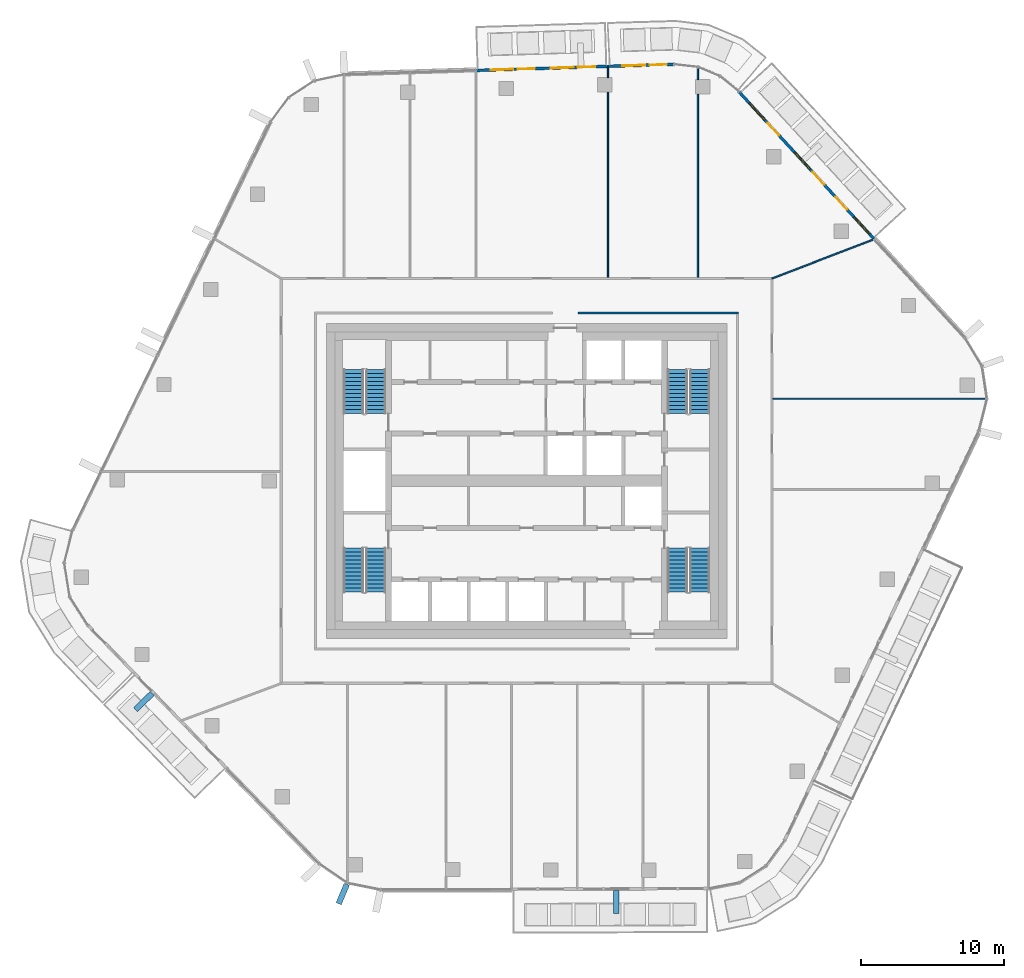
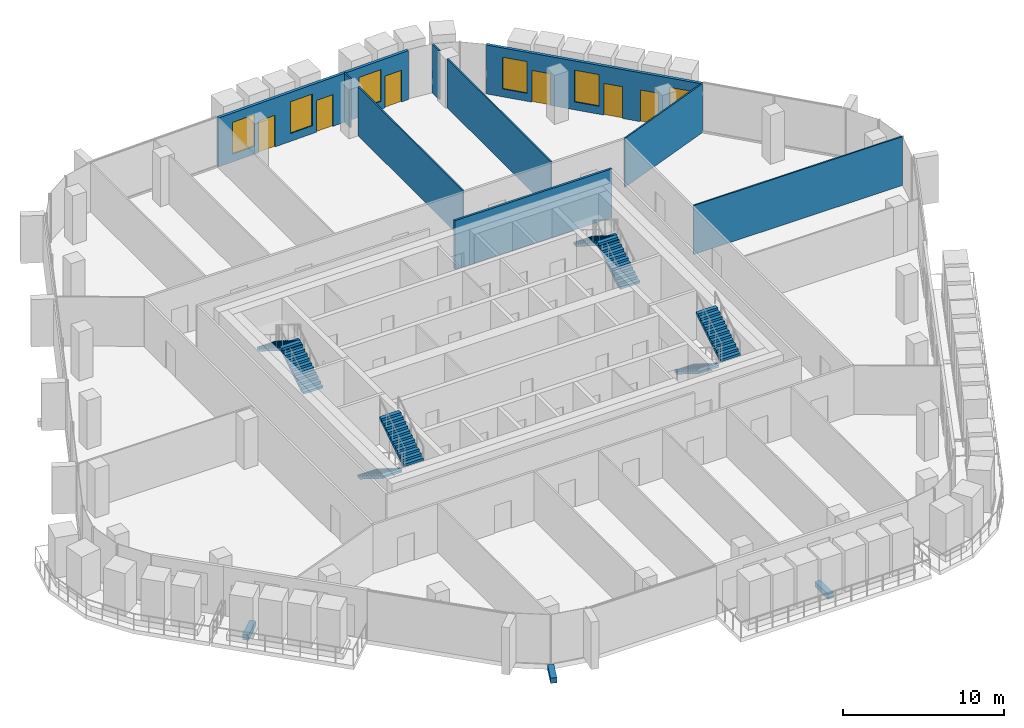
# One storey, part 16 of 24: 10 walls, 8 stair flights, 6 doors, 6 windows, 3 discrete accessories, 12 openings, 4 elements without a shape of their own.
"""IFC4 building model written with IfcOpenShell, lengths in metres."""

from ifc_helpers import new_model, si_unit, direction, frame, frame_2d, origin, origin_2d, place, context, subcontext, project, spatial, polyline, rectangle, outline, extrude, material, layer, layer_set, type_object, element, fill, aggregate, save


model = new_model("IFC4")

# Units and contexts
model_context = context("Model", 3, precision=1e-05, world=origin(), true_north=direction((0.0, 1.0)))
body_context = subcontext(model_context, "Body", "Model", "MODEL_VIEW")
ifc_project = project(units=[si_unit("LENGTHUNIT", "METRE"), si_unit("AREAUNIT", "SQUARE_METRE"), si_unit("VOLUMEUNIT", "CUBIC_METRE"), si_unit("PLANEANGLEUNIT", "RADIAN"), si_unit("MASSUNIT", "GRAM", prefix="KILO")], contexts=[model_context])

# Site, building, storey
site_placement = place(None, origin())
site = spatial("IfcSite", under=ifc_project, at=site_placement, CompositionType="ELEMENT")
building_placement = place(site_placement, origin())
building = spatial("IfcBuilding", under=site, at=building_placement, Name="Dongbaek Canopy Tower", CompositionType="ELEMENT")
storey_placement = place(building_placement, frame((0.0, 0.0, 348.800048828125)))
storey = spatial("IfcBuildingStorey", under=building, at=storey_placement, Name="L75", CompositionType="ELEMENT", Elevation=348.800048828125)

# Walls
ifc_material_1 = material(Name="Gypsum board partition, steel stud, 2 x 15 mm fire board", Category="steel")
ifc_layer_1 = layer(ifc_material_1, 0.14990234375)
ifc_layer_set_1 = layer_set([ifc_layer_1], Name="Fire-rated partition 150 gypsum board")
wall_type_1 = type_object("IfcWallType", Name="Fire-rated partition 150 gypsum board", PredefinedType="PARTITIONING", material=ifc_layer_set_1)
wall_1_placement = place(storey_placement, frame((3.60009765625, 11.75, 0.0), z_axis=(0.0, 0.0, 1.0), x_axis=(1.0, 0.0, 0.0)))
element("IfcWall", 1, at=wall_1_placement, inside=storey, type_object=wall_type_1, Name="Corridor partition", PredefinedType="PARTITIONING", context=body_context, shape_type="SweptSolid", body=[
    extrude(rectangle(XDim=11.224853515625, YDim=0.14990234375, at=frame_2d((5.6123046875, 0.0))), origin(), (0.0, 0.0, 1.0), 3.699951171875),
])
ifc_material_2 = material(Name="Gypsum board partition, steel stud, 2 x 12.5 mm board", Category="steel")
ifc_layer_2 = layer(ifc_material_2, 0.10009765625)
ifc_layer_set_2 = layer_set([ifc_layer_2], Name="Partition 100 gypsum board")
wall_type_2 = type_object("IfcWallType", Name="Partition 100 gypsum board", PredefinedType="PARTITIONING", material=ifc_layer_set_2)
wall_2_placement = place(storey_placement, frame((17.22509765625, 5.74609375, 0.0), z_axis=(0.0, 0.0, 1.0), x_axis=(1.0, 0.0, 0.0)))
element("IfcWall", 2, at=wall_2_placement, inside=storey, type_object=wall_type_2, Name="Partition", PredefinedType="PARTITIONING", context=body_context, shape_type="SweptSolid", body=[
    extrude(rectangle(XDim=14.93115234375, YDim=0.10009765625, at=frame_2d((7.465576171875, 0.0))), origin(), (0.0, 0.0, 1.0), 3.699951171875),
])
wall_3_placement = place(storey_placement, frame((17.14990234375, 14.150146484375, 0.0), z_axis=(0.0, 0.0, 1.0), x_axis=(0.933641376905, 0.358209127927, 0.0)))
element("IfcWall", 3, at=wall_3_placement, inside=storey, type_object=wall_type_2, Name="Partition", PredefinedType="PARTITIONING", context=body_context, shape_type="SweptSolid", body=[
    extrude(rectangle(XDim=7.650390625, YDim=0.10009765625, at=frame_2d((3.8251953125, 0.0))), origin(), (0.0, 0.0, 1.0), 3.699951171875),
])
wall_4_placement = place(storey_placement, frame((11.97900390625, 14.22509765625, 0.0), z_axis=(0.0, 0.0, 1.0), x_axis=(0.0, 1.0, 0.0)))
element("IfcWall", 4, at=wall_4_placement, inside=storey, type_object=wall_type_2, Name="Partition", PredefinedType="PARTITIONING", context=body_context, shape_type="SweptSolid", body=[
    extrude(rectangle(XDim=12.837890625, YDim=0.10009765625, at=frame_2d((6.4189453125, 0.0))), origin(), (0.0, 0.0, 1.0), 3.699951171875),
])
wall_5_placement = place(storey_placement, frame((11.97900390625, 28.06298828125, 0.0), z_axis=(0.0, 0.0, 1.0), x_axis=(0.0, 1.0, 0.0)))
element("IfcWall", 5, at=wall_5_placement, inside=storey, type_object=wall_type_2, Name="Partition", PredefinedType="PARTITIONING", context=body_context, shape_type="SweptSolid", body=[
    extrude(rectangle(XDim=0.851806640625, YDim=0.10009765625, at=frame_2d((0.42578125, 0.0))), origin(), (0.0, 0.0, 1.0), 3.699951171875),
])
wall_6_placement = place(storey_placement, frame((5.69189453125, 14.22509765625, 0.0), z_axis=(0.0, 0.0, 1.0), x_axis=(0.0, 1.0, 0.0)))
element("IfcWall", 6, at=wall_6_placement, inside=storey, type_object=wall_type_2, Name="Partition", PredefinedType="PARTITIONING", context=body_context, shape_type="SweptSolid", body=[
    extrude(rectangle(XDim=12.966796875, YDim=0.10009765625, at=frame_2d((6.4833984375, 0.0))), origin(), (0.0, 0.0, 1.0), 3.699951171875),
])
wall_7_placement = place(storey_placement, frame((5.69189453125, 28.19189453125, 0.0), z_axis=(0.0, 0.0, 1.0), x_axis=(0.0, 1.0, 0.0)))
element("IfcWall", 7, at=wall_7_placement, inside=storey, type_object=wall_type_2, Name="Partition", PredefinedType="PARTITIONING", context=body_context, shape_type="SweptSolid", body=[
    extrude(rectangle(XDim=0.77099609375, YDim=0.10009765625, at=frame_2d((0.385498046875, 0.0))), origin(), (0.0, 0.0, 1.0), 3.699951171875),
])

# Wall, openings, doors, windows
ifc_material_3 = material(Name="Aluminium window wall", Category="aluminium")
ifc_layer_3 = layer(ifc_material_3, 0.199951171875)
ifc_layer_set_3 = layer_set([ifc_layer_3], Name="Window wall 200")
wall_type_3 = type_object("IfcWallType", Name="Window wall 200", PredefinedType="SOLIDWALL", material=ifc_layer_set_3)
wall_8_placement = place(storey_placement, frame((24.312744140625, 16.898193359375, 0.0), z_axis=(0.0, 0.0, 1.0), x_axis=(-0.676360611012, 0.736570650971, 0.0)))
wall_8 = element("IfcWall", 8, at=wall_8_placement, inside=storey, type_object=wall_type_3, Name="Window wall L75 1", PredefinedType="SOLIDWALL", context=body_context, shape_type="SweptSolid", body=[
    extrude(rectangle(XDim=14.00537109375, YDim=0.199951171875, at=frame_2d((7.002685546875, 0.0))), origin(), (0.0, 0.0, 1.0), 3.699951171875),
])
opening_1_placement = place(wall_8_placement, frame((0.5, 0.0, 0.60009765625)))
opening_1 = element("IfcOpeningElement", 9, at=opening_1_placement, cuts=wall_8, Name="Opening W1", PredefinedType="OPENING", context=body_context, shape_type="SweptSolid", body=[
    extrude(rectangle(XDim=1.60009765625, YDim=2.39990234375, at=frame_2d((0.800048828125, 1.199951171875))), frame((0.0, 0.10986328125, 0.0), z_axis=(0.0, -1.0, 0.0), x_axis=(1.0, 0.0, 0.0)), (0.0, 0.0, 1.0), 0.219970703125),
])
opening_2_placement = place(wall_8_placement, frame((2.800048828125, 0.0, 0.0)))
opening_2 = element("IfcOpeningElement", 10, at=opening_2_placement, cuts=wall_8, Name="Opening L75-B01", PredefinedType="OPENING", context=body_context, shape_type="SweptSolid", body=[
    extrude(rectangle(XDim=1.199951171875, YDim=2.39990234375, at=frame_2d((0.60009765625, 1.199951171875))), frame((0.0, 0.10986328125, 0.0), z_axis=(0.0, -1.0, 0.0), x_axis=(1.0, 0.0, 0.0)), (0.0, 0.0, 1.0), 0.219970703125),
])
opening_3_placement = place(wall_8_placement, frame((6.66845703125, 0.0, 0.60009765625)))
opening_3 = element("IfcOpeningElement", 11, at=opening_3_placement, cuts=wall_8, Name="Opening W1", PredefinedType="OPENING", context=body_context, shape_type="SweptSolid", body=[
    extrude(rectangle(XDim=1.60009765625, YDim=2.39990234375, at=frame_2d((0.800048828125, 1.199951171875))), frame((0.0, 0.10986328125, 0.0), z_axis=(0.0, -1.0, 0.0), x_axis=(1.0, 0.0, 0.0)), (0.0, 0.0, 1.0), 0.219970703125),
])
opening_4_placement = place(wall_8_placement, frame((5.16845703125, 0.0, 0.0)))
opening_4 = element("IfcOpeningElement", 12, at=opening_4_placement, cuts=wall_8, Name="Opening L75-B02", PredefinedType="OPENING", context=body_context, shape_type="SweptSolid", body=[
    extrude(rectangle(XDim=1.199951171875, YDim=2.39990234375, at=frame_2d((0.60009765625, 1.199951171875))), frame((0.0, 0.10986328125, 0.0), z_axis=(0.0, -1.0, 0.0), x_axis=(1.0, 0.0, 0.0)), (0.0, 0.0, 1.0), 0.219970703125),
])
opening_5_placement = place(wall_8_placement, frame((11.3369140625, 0.0, 0.60009765625)))
opening_5 = element("IfcOpeningElement", 13, at=opening_5_placement, cuts=wall_8, Name="Opening W1", PredefinedType="OPENING", context=body_context, shape_type="SweptSolid", body=[
    extrude(rectangle(XDim=1.60009765625, YDim=2.39990234375, at=frame_2d((0.800048828125, 1.199951171875))), frame((0.0, 0.10986328125, 0.0), z_axis=(0.0, -1.0, 0.0), x_axis=(1.0, 0.0, 0.0)), (0.0, 0.0, 1.0), 0.219970703125),
])
opening_6_placement = place(wall_8_placement, frame((9.8369140625, 0.0, 0.0)))
opening_6 = element("IfcOpeningElement", 14, at=opening_6_placement, cuts=wall_8, Name="Opening L75-B03", PredefinedType="OPENING", context=body_context, shape_type="SweptSolid", body=[
    extrude(rectangle(XDim=1.199951171875, YDim=2.39990234375, at=frame_2d((0.60009765625, 1.199951171875))), frame((0.0, 0.10986328125, 0.0), z_axis=(0.0, -1.0, 0.0), x_axis=(1.0, 0.0, 0.0)), (0.0, 0.0, 1.0), 0.219970703125),
])
ifc_material_4 = material(Name="Clear glazing in aluminium frame", Category="aluminium")
door_type = type_object("IfcDoorType", Name="Balcony door BD1 1200 x 2400", OperationType="SLIDING_TO_LEFT", PredefinedType="DOOR", material=ifc_material_4)
door_1_placement = place(opening_2_placement, origin())
door_1 = element("IfcDoor", 15, at=door_1_placement, inside=storey, type_object=door_type, Name="Balcony door L75-B01", OperationType="SLIDING_TO_LEFT", OverallHeight=2.39990234375, OverallWidth=1.199951171875, PredefinedType="DOOR", context=body_context, shape_type="SweptSolid", body=[
    extrude(rectangle(XDim=1.199951171875, YDim=2.39990234375, at=frame_2d((0.60009765625, 1.199951171875))), frame((0.0, 0.02490234375, 0.0), z_axis=(0.0, -1.0, 0.0), x_axis=(1.0, 0.0, 0.0)), (0.0, 0.0, 1.0), 0.050048828125),
])
fill(opening_2, door_1)
door_2_placement = place(opening_4_placement, origin())
door_2 = element("IfcDoor", 16, at=door_2_placement, inside=storey, type_object=door_type, Name="Balcony door L75-B02", OperationType="SLIDING_TO_LEFT", OverallHeight=2.39990234375, OverallWidth=1.199951171875, PredefinedType="DOOR", context=body_context, shape_type="SweptSolid", body=[
    extrude(rectangle(XDim=1.199951171875, YDim=2.39990234375, at=frame_2d((0.60009765625, 1.199951171875))), frame((0.0, 0.02490234375, 0.0), z_axis=(0.0, -1.0, 0.0), x_axis=(1.0, 0.0, 0.0)), (0.0, 0.0, 1.0), 0.050048828125),
])
fill(opening_4, door_2)
door_3_placement = place(opening_6_placement, origin())
door_3 = element("IfcDoor", 17, at=door_3_placement, inside=storey, type_object=door_type, Name="Balcony door L75-B03", OperationType="SLIDING_TO_LEFT", OverallHeight=2.39990234375, OverallWidth=1.199951171875, PredefinedType="DOOR", context=body_context, shape_type="SweptSolid", body=[
    extrude(rectangle(XDim=1.199951171875, YDim=2.39990234375, at=frame_2d((0.60009765625, 1.199951171875))), frame((0.0, 0.02490234375, 0.0), z_axis=(0.0, -1.0, 0.0), x_axis=(1.0, 0.0, 0.0)), (0.0, 0.0, 1.0), 0.050048828125),
])
fill(opening_6, door_3)
ifc_material_5 = material(Name="Clear glazing in aluminium frame", Category="aluminium")
window_type = type_object("IfcWindowType", Name="Window W1 1600 x 2400", PartitioningType="SINGLE_PANEL", PredefinedType="WINDOW", material=ifc_material_5)
window_1_placement = place(opening_1_placement, origin())
window_1 = element("IfcWindow", 18, at=window_1_placement, inside=storey, type_object=window_type, Name="Window L75 1.1", OverallHeight=2.39990234375, OverallWidth=1.60009765625, PartitioningType="SINGLE_PANEL", PredefinedType="WINDOW", context=body_context, shape_type="SweptSolid", body=[
    extrude(rectangle(XDim=1.60009765625, YDim=2.39990234375, at=frame_2d((0.800048828125, 1.199951171875))), frame((0.0, 0.030029296875, 0.0), z_axis=(0.0, -1.0, 0.0), x_axis=(1.0, 0.0, 0.0)), (0.0, 0.0, 1.0), 0.06005859375),
])
fill(opening_1, window_1)
window_2_placement = place(opening_3_placement, origin())
window_2 = element("IfcWindow", 19, at=window_2_placement, inside=storey, type_object=window_type, Name="Window L75 1.2", OverallHeight=2.39990234375, OverallWidth=1.60009765625, PartitioningType="SINGLE_PANEL", PredefinedType="WINDOW", context=body_context, shape_type="SweptSolid", body=[
    extrude(rectangle(XDim=1.60009765625, YDim=2.39990234375, at=frame_2d((0.800048828125, 1.199951171875))), frame((0.0, 0.030029296875, 0.0), z_axis=(0.0, -1.0, 0.0), x_axis=(1.0, 0.0, 0.0)), (0.0, 0.0, 1.0), 0.06005859375),
])
fill(opening_3, window_2)
window_3_placement = place(opening_5_placement, origin())
window_3 = element("IfcWindow", 20, at=window_3_placement, inside=storey, type_object=window_type, Name="Window L75 1.3", OverallHeight=2.39990234375, OverallWidth=1.60009765625, PartitioningType="SINGLE_PANEL", PredefinedType="WINDOW", context=body_context, shape_type="SweptSolid", body=[
    extrude(rectangle(XDim=1.60009765625, YDim=2.39990234375, at=frame_2d((0.800048828125, 1.199951171875))), frame((0.0, 0.030029296875, 0.0), z_axis=(0.0, -1.0, 0.0), x_axis=(1.0, 0.0, 0.0)), (0.0, 0.0, 1.0), 0.06005859375),
])
fill(opening_5, window_3)

wall_9_placement = place(storey_placement, frame((5.692138671875, 28.98291015625, 0.0), z_axis=(0.0, 0.0, 1.0), x_axis=(-0.999518913705, -0.031015176069, 0.0)))
wall_9 = element("IfcWall", 21, at=wall_9_placement, inside=storey, type_object=wall_type_3, Name="Window wall L75 2", PredefinedType="SOLIDWALL", context=body_context, shape_type="SweptSolid", body=[
    extrude(rectangle(XDim=9.2333984375, YDim=0.199951171875, at=frame_2d((4.61669921875, 0.0))), origin(), (0.0, 0.0, 1.0), 3.699951171875),
])
opening_7_placement = place(wall_9_placement, frame((2.39990234375, 0.0, 0.60009765625)))
opening_7 = element("IfcOpeningElement", 22, at=opening_7_placement, cuts=wall_9, Name="Opening W1", PredefinedType="OPENING", context=body_context, shape_type="SweptSolid", body=[
    extrude(rectangle(XDim=1.60009765625, YDim=2.39990234375, at=frame_2d((0.800048828125, 1.199951171875))), frame((0.0, 0.10986328125, 0.0), z_axis=(0.0, -1.0, 0.0), x_axis=(1.0, 0.0, 0.0)), (0.0, 0.0, 1.0), 0.219970703125),
])
opening_8_placement = place(wall_9_placement, frame((0.89990234375, 0.0, 0.0)))
opening_8 = element("IfcOpeningElement", 23, at=opening_8_placement, cuts=wall_9, Name="Opening L75-B04", PredefinedType="OPENING", context=body_context, shape_type="SweptSolid", body=[
    extrude(rectangle(XDim=1.199951171875, YDim=2.39990234375, at=frame_2d((0.60009765625, 1.199951171875))), frame((0.0, 0.10986328125, 0.0), z_axis=(0.0, -1.0, 0.0), x_axis=(1.0, 0.0, 0.0)), (0.0, 0.0, 1.0), 0.219970703125),
])
opening_9_placement = place(wall_9_placement, frame((6.61669921875, 0.0, 0.60009765625)))
opening_9 = element("IfcOpeningElement", 24, at=opening_9_placement, cuts=wall_9, Name="Opening W1", PredefinedType="OPENING", context=body_context, shape_type="SweptSolid", body=[
    extrude(rectangle(XDim=1.60009765625, YDim=2.39990234375, at=frame_2d((0.800048828125, 1.199951171875))), frame((0.0, 0.10986328125, 0.0), z_axis=(0.0, -1.0, 0.0), x_axis=(1.0, 0.0, 0.0)), (0.0, 0.0, 1.0), 0.219970703125),
])
opening_10_placement = place(wall_9_placement, frame((5.11669921875, 0.0, 0.0)))
opening_10 = element("IfcOpeningElement", 25, at=opening_10_placement, cuts=wall_9, Name="Opening L75-B05", PredefinedType="OPENING", context=body_context, shape_type="SweptSolid", body=[
    extrude(rectangle(XDim=1.199951171875, YDim=2.39990234375, at=frame_2d((0.60009765625, 1.199951171875))), frame((0.0, 0.10986328125, 0.0), z_axis=(0.0, -1.0, 0.0), x_axis=(1.0, 0.0, 0.0)), (0.0, 0.0, 1.0), 0.219970703125),
])
door_4_placement = place(opening_8_placement, origin())
door_4 = element("IfcDoor", 26, at=door_4_placement, inside=storey, type_object=door_type, Name="Balcony door L75-B04", OperationType="SLIDING_TO_LEFT", OverallHeight=2.39990234375, OverallWidth=1.199951171875, PredefinedType="DOOR", context=body_context, shape_type="SweptSolid", body=[
    extrude(rectangle(XDim=1.199951171875, YDim=2.39990234375, at=frame_2d((0.60009765625, 1.199951171875))), frame((0.0, 0.02490234375, 0.0), z_axis=(0.0, -1.0, 0.0), x_axis=(1.0, 0.0, 0.0)), (0.0, 0.0, 1.0), 0.050048828125),
])
fill(opening_8, door_4)
door_5_placement = place(opening_10_placement, origin())
door_5 = element("IfcDoor", 27, at=door_5_placement, inside=storey, type_object=door_type, Name="Balcony door L75-B05", OperationType="SLIDING_TO_LEFT", OverallHeight=2.39990234375, OverallWidth=1.199951171875, PredefinedType="DOOR", context=body_context, shape_type="SweptSolid", body=[
    extrude(rectangle(XDim=1.199951171875, YDim=2.39990234375, at=frame_2d((0.60009765625, 1.199951171875))), frame((0.0, 0.02490234375, 0.0), z_axis=(0.0, -1.0, 0.0), x_axis=(1.0, 0.0, 0.0)), (0.0, 0.0, 1.0), 0.050048828125),
])
fill(opening_10, door_5)
window_4_placement = place(opening_7_placement, origin())
window_4 = element("IfcWindow", 28, at=window_4_placement, inside=storey, type_object=window_type, Name="Window L75 2.1", OverallHeight=2.39990234375, OverallWidth=1.60009765625, PartitioningType="SINGLE_PANEL", PredefinedType="WINDOW", context=body_context, shape_type="SweptSolid", body=[
    extrude(rectangle(XDim=1.60009765625, YDim=2.39990234375, at=frame_2d((0.800048828125, 1.199951171875))), frame((0.0, 0.030029296875, 0.0), z_axis=(0.0, -1.0, 0.0), x_axis=(1.0, 0.0, 0.0)), (0.0, 0.0, 1.0), 0.06005859375),
])
fill(opening_7, window_4)
window_5_placement = place(opening_9_placement, origin())
window_5 = element("IfcWindow", 29, at=window_5_placement, inside=storey, type_object=window_type, Name="Window L75 2.2", OverallHeight=2.39990234375, OverallWidth=1.60009765625, PartitioningType="SINGLE_PANEL", PredefinedType="WINDOW", context=body_context, shape_type="SweptSolid", body=[
    extrude(rectangle(XDim=1.60009765625, YDim=2.39990234375, at=frame_2d((0.800048828125, 1.199951171875))), frame((0.0, 0.030029296875, 0.0), z_axis=(0.0, -1.0, 0.0), x_axis=(1.0, 0.0, 0.0)), (0.0, 0.0, 1.0), 0.06005859375),
])
fill(opening_9, window_5)

# Wall, openings, door, window
wall_10_placement = place(storey_placement, frame((10.29931640625, 29.125732421875, 0.0), z_axis=(0.0, 0.0, 1.0), x_axis=(-0.999519847684, -0.030985062312, 0.0)))
wall_10 = element("IfcWall", 30, at=wall_10_placement, inside=storey, type_object=wall_type_3, Name="Window wall L75 6", PredefinedType="SOLIDWALL", context=body_context, shape_type="SweptSolid", body=[
    extrude(rectangle(XDim=4.609375, YDim=0.199951171875, at=frame_2d((2.3046875, 0.0))), origin(), (0.0, 0.0, 1.0), 3.699951171875),
])
opening_11_placement = place(wall_10_placement, frame((2.0, 0.0, 0.60009765625)))
opening_11 = element("IfcOpeningElement", 31, at=opening_11_placement, cuts=wall_10, Name="Opening W1", PredefinedType="OPENING", context=body_context, shape_type="SweptSolid", body=[
    extrude(rectangle(XDim=1.60009765625, YDim=2.39990234375, at=frame_2d((0.800048828125, 1.199951171875))), frame((0.0, 0.10986328125, 0.0), z_axis=(0.0, -1.0, 0.0), x_axis=(1.0, 0.0, 0.0)), (0.0, 0.0, 1.0), 0.219970703125),
])
opening_12_placement = place(wall_10_placement, frame((0.5, 0.0, 0.0)))
opening_12 = element("IfcOpeningElement", 32, at=opening_12_placement, cuts=wall_10, Name="Opening L75-B06", PredefinedType="OPENING", context=body_context, shape_type="SweptSolid", body=[
    extrude(rectangle(XDim=1.199951171875, YDim=2.39990234375, at=frame_2d((0.60009765625, 1.199951171875))), frame((0.0, 0.10986328125, 0.0), z_axis=(0.0, -1.0, 0.0), x_axis=(1.0, 0.0, 0.0)), (0.0, 0.0, 1.0), 0.219970703125),
])
door_6_placement = place(opening_12_placement, origin())
door_6 = element("IfcDoor", 33, at=door_6_placement, inside=storey, type_object=door_type, Name="Balcony door L75-B06", OperationType="SLIDING_TO_LEFT", OverallHeight=2.39990234375, OverallWidth=1.199951171875, PredefinedType="DOOR", context=body_context, shape_type="SweptSolid", body=[
    extrude(rectangle(XDim=1.199951171875, YDim=2.39990234375, at=frame_2d((0.60009765625, 1.199951171875))), frame((0.0, 0.02490234375, 0.0), z_axis=(0.0, -1.0, 0.0), x_axis=(1.0, 0.0, 0.0)), (0.0, 0.0, 1.0), 0.050048828125),
])
fill(opening_12, door_6)
window_6_placement = place(opening_11_placement, origin())
window_6 = element("IfcWindow", 34, at=window_6_placement, inside=storey, type_object=window_type, Name="Window L75 6.1", OverallHeight=2.39990234375, OverallWidth=1.60009765625, PartitioningType="SINGLE_PANEL", PredefinedType="WINDOW", context=body_context, shape_type="SweptSolid", body=[
    extrude(rectangle(XDim=1.60009765625, YDim=2.39990234375, at=frame_2d((0.800048828125, 1.199951171875))), frame((0.0, 0.030029296875, 0.0), z_axis=(0.0, -1.0, 0.0), x_axis=(1.0, 0.0, 0.0)), (0.0, 0.0, 1.0), 0.06005859375),
])
fill(opening_11, window_6)

# Stair, stair flights
ifc_material_6 = material(Name="Concrete C40/50", Category="concrete")
stair_type = type_object("IfcStairType", Name="Core exit stair", PredefinedType="HALF_TURN_STAIR", material=ifc_material_6)
stair_1_placement = place(storey_placement, origin())
stair_1 = element("IfcStair", 35, at=stair_1_placement, inside=storey, type_object=stair_type, Name="L75 exit stair A", PredefinedType="HALF_TURN_STAIR")
ifc_material_7 = material(Name="Concrete C40/50", Category="concrete")
ifc_layer_4 = layer(ifc_material_7, 0.14990234375)
ifc_layer_set_4 = layer_set([ifc_layer_4], Name="Core stair flight 150 waist")
stair_flight_type = type_object("IfcStairFlightType", Name="Core stair flight 150 waist", PredefinedType="STRAIGHT", material=ifc_layer_set_4)
stair_flight_1_placement = place(storey_placement, frame((12.10009765625, 4.699951171875, 0.0), z_axis=(0.0, 0.0, 1.0), x_axis=(0.0, 1.0, 0.0)))
stair_flight_1 = element("IfcStairFlight", 36, at=stair_flight_1_placement, type_object=stair_flight_type, Name="ST-A flight 1", NumberOfRisers=12, NumberOfTreads=11, PredefinedType="STRAIGHT", RiserHeight=0.175, TreadLength=0.28, context=body_context, shape_type="SweptSolid", body=[
    extrude(outline(polyline([(0.0, 0.0), (0.0, 0.175048828125), (0.280029296875, 0.175048828125), (0.280029296875, 0.35009765625), (0.56005859375, 0.35009765625), (0.56005859375, 0.52490234375), (0.840087890625, 0.52490234375), (0.840087890625, 0.699951171875), (1.1201171875, 0.699951171875), (1.1201171875, 0.875), (1.39990234375, 0.875), (1.39990234375, 1.050048828125), (1.679931640625, 1.050048828125), (1.679931640625, 1.22509765625), (1.9599609375, 1.22509765625), (1.9599609375, 1.39990234375), (2.239990234375, 1.39990234375), (2.239990234375, 1.574951171875), (2.52001953125, 1.574951171875), (2.52001953125, 1.75), (2.800048828125, 1.75), (2.800048828125, 1.925048828125), (3.080078125, 1.925048828125), (3.080078125, 2.10009765625), (3.080078125, 1.748291015625), (0.28271484375, 0.0), (0.0, 0.0)])), frame((0.0, 0.699951171875, 0.0), z_axis=(0.0, -1.0, 0.0), x_axis=(1.0, 0.0, 0.0)), (0.0, 0.0, 1.0), 1.39990234375),
])
stair_flight_2_placement = place(storey_placement, frame((10.550048828125, 7.780029296875, 2.099853515625), z_axis=(0.0, 0.0, 1.0), x_axis=(0.0, -1.0, 0.0)))
stair_flight_2 = element("IfcStairFlight", 37, at=stair_flight_2_placement, type_object=stair_flight_type, Name="ST-A flight 2", NumberOfRisers=12, NumberOfTreads=11, PredefinedType="STRAIGHT", RiserHeight=0.175, TreadLength=0.28, context=body_context, shape_type="SweptSolid", body=[
    extrude(outline(polyline([(0.0, 0.0), (0.0, 0.175048828125), (0.280029296875, 0.175048828125), (0.280029296875, 0.35009765625), (0.56005859375, 0.35009765625), (0.56005859375, 0.52490234375), (0.840087890625, 0.52490234375), (0.840087890625, 0.699951171875), (1.1201171875, 0.699951171875), (1.1201171875, 0.875), (1.39990234375, 0.875), (1.39990234375, 1.050048828125), (1.679931640625, 1.050048828125), (1.679931640625, 1.22509765625), (1.9599609375, 1.22509765625), (1.9599609375, 1.39990234375), (2.239990234375, 1.39990234375), (2.239990234375, 1.574951171875), (2.52001953125, 1.574951171875), (2.52001953125, 1.75), (2.800048828125, 1.75), (2.800048828125, 1.925048828125), (3.080078125, 1.925048828125), (3.080078125, 2.10009765625), (3.080078125, 1.748291015625), (0.28271484375, 0.0), (0.0, 0.0)])), frame((0.0, 0.699951171875, 0.0), z_axis=(0.0, -1.0, 0.0), x_axis=(1.0, 0.0, 0.0)), (0.0, 0.0, 1.0), 1.39990234375),
])
aggregate(stair_1, [stair_flight_1, stair_flight_2])

stair_2_placement = place(storey_placement, origin())
stair_2 = element("IfcStair", 38, at=stair_2_placement, inside=storey, type_object=stair_type, Name="L75 exit stair C", PredefinedType="HALF_TURN_STAIR")
stair_flight_3_placement = place(storey_placement, frame((-10.550048828125, 4.699951171875, 0.0), z_axis=(0.0, 0.0, 1.0), x_axis=(0.0, 1.0, 0.0)))
stair_flight_3 = element("IfcStairFlight", 39, at=stair_flight_3_placement, type_object=stair_flight_type, Name="ST-C flight 1", NumberOfRisers=12, NumberOfTreads=11, PredefinedType="STRAIGHT", RiserHeight=0.175, TreadLength=0.28, context=body_context, shape_type="SweptSolid", body=[
    extrude(outline(polyline([(0.0, 0.0), (0.0, 0.175048828125), (0.280029296875, 0.175048828125), (0.280029296875, 0.35009765625), (0.56005859375, 0.35009765625), (0.56005859375, 0.52490234375), (0.840087890625, 0.52490234375), (0.840087890625, 0.699951171875), (1.1201171875, 0.699951171875), (1.1201171875, 0.875), (1.39990234375, 0.875), (1.39990234375, 1.050048828125), (1.679931640625, 1.050048828125), (1.679931640625, 1.22509765625), (1.9599609375, 1.22509765625), (1.9599609375, 1.39990234375), (2.239990234375, 1.39990234375), (2.239990234375, 1.574951171875), (2.52001953125, 1.574951171875), (2.52001953125, 1.75), (2.800048828125, 1.75), (2.800048828125, 1.925048828125), (3.080078125, 1.925048828125), (3.080078125, 2.10009765625), (3.080078125, 1.748291015625), (0.28271484375, 0.0), (0.0, 0.0)])), frame((0.0, 0.699951171875, 0.0), z_axis=(0.0, -1.0, 0.0), x_axis=(1.0, 0.0, 0.0)), (0.0, 0.0, 1.0), 1.39990234375),
])
stair_flight_4_placement = place(storey_placement, frame((-12.10009765625, 7.780029296875, 2.099853515625), z_axis=(0.0, 0.0, 1.0), x_axis=(0.0, -1.0, 0.0)))
stair_flight_4 = element("IfcStairFlight", 40, at=stair_flight_4_placement, type_object=stair_flight_type, Name="ST-C flight 2", NumberOfRisers=12, NumberOfTreads=11, PredefinedType="STRAIGHT", RiserHeight=0.175, TreadLength=0.28, context=body_context, shape_type="SweptSolid", body=[
    extrude(outline(polyline([(0.0, 0.0), (0.0, 0.175048828125), (0.280029296875, 0.175048828125), (0.280029296875, 0.35009765625), (0.56005859375, 0.35009765625), (0.56005859375, 0.52490234375), (0.840087890625, 0.52490234375), (0.840087890625, 0.699951171875), (1.1201171875, 0.699951171875), (1.1201171875, 0.875), (1.39990234375, 0.875), (1.39990234375, 1.050048828125), (1.679931640625, 1.050048828125), (1.679931640625, 1.22509765625), (1.9599609375, 1.22509765625), (1.9599609375, 1.39990234375), (2.239990234375, 1.39990234375), (2.239990234375, 1.574951171875), (2.52001953125, 1.574951171875), (2.52001953125, 1.75), (2.800048828125, 1.75), (2.800048828125, 1.925048828125), (3.080078125, 1.925048828125), (3.080078125, 2.10009765625), (3.080078125, 1.748291015625), (0.28271484375, 0.0), (0.0, 0.0)])), frame((0.0, 0.699951171875, 0.0), z_axis=(0.0, -1.0, 0.0), x_axis=(1.0, 0.0, 0.0)), (0.0, 0.0, 1.0), 1.39990234375),
])
aggregate(stair_2, [stair_flight_3, stair_flight_4])

stair_3_placement = place(storey_placement, origin())
stair_3 = element("IfcStair", 41, at=stair_3_placement, inside=storey, type_object=stair_type, Name="L75 exit stair B", PredefinedType="HALF_TURN_STAIR")
stair_flight_5_placement = place(storey_placement, frame((10.550048828125, -4.699951171875, 0.0), z_axis=(0.0, 0.0, 1.0), x_axis=(0.0, -1.0, 0.0)))
stair_flight_5 = element("IfcStairFlight", 42, at=stair_flight_5_placement, type_object=stair_flight_type, Name="ST-B flight 1", NumberOfRisers=12, NumberOfTreads=11, PredefinedType="STRAIGHT", RiserHeight=0.175, TreadLength=0.28, context=body_context, shape_type="SweptSolid", body=[
    extrude(outline(polyline([(0.0, 0.0), (0.0, 0.175048828125), (0.280029296875, 0.175048828125), (0.280029296875, 0.35009765625), (0.56005859375, 0.35009765625), (0.56005859375, 0.52490234375), (0.840087890625, 0.52490234375), (0.840087890625, 0.699951171875), (1.1201171875, 0.699951171875), (1.1201171875, 0.875), (1.39990234375, 0.875), (1.39990234375, 1.050048828125), (1.679931640625, 1.050048828125), (1.679931640625, 1.22509765625), (1.9599609375, 1.22509765625), (1.9599609375, 1.39990234375), (2.239990234375, 1.39990234375), (2.239990234375, 1.574951171875), (2.52001953125, 1.574951171875), (2.52001953125, 1.75), (2.800048828125, 1.75), (2.800048828125, 1.925048828125), (3.080078125, 1.925048828125), (3.080078125, 2.10009765625), (3.080078125, 1.748291015625), (0.28271484375, 0.0), (0.0, 0.0)])), frame((0.0, 0.699951171875, 0.0), z_axis=(0.0, -1.0, 0.0), x_axis=(1.0, 0.0, 0.0)), (0.0, 0.0, 1.0), 1.39990234375),
])
stair_flight_6_placement = place(storey_placement, frame((12.10009765625, -7.780029296875, 2.099853515625), z_axis=(0.0, 0.0, 1.0), x_axis=(0.0, 1.0, 0.0)))
stair_flight_6 = element("IfcStairFlight", 43, at=stair_flight_6_placement, type_object=stair_flight_type, Name="ST-B flight 2", NumberOfRisers=12, NumberOfTreads=11, PredefinedType="STRAIGHT", RiserHeight=0.175, TreadLength=0.28, context=body_context, shape_type="SweptSolid", body=[
    extrude(outline(polyline([(0.0, 0.0), (0.0, 0.175048828125), (0.280029296875, 0.175048828125), (0.280029296875, 0.35009765625), (0.56005859375, 0.35009765625), (0.56005859375, 0.52490234375), (0.840087890625, 0.52490234375), (0.840087890625, 0.699951171875), (1.1201171875, 0.699951171875), (1.1201171875, 0.875), (1.39990234375, 0.875), (1.39990234375, 1.050048828125), (1.679931640625, 1.050048828125), (1.679931640625, 1.22509765625), (1.9599609375, 1.22509765625), (1.9599609375, 1.39990234375), (2.239990234375, 1.39990234375), (2.239990234375, 1.574951171875), (2.52001953125, 1.574951171875), (2.52001953125, 1.75), (2.800048828125, 1.75), (2.800048828125, 1.925048828125), (3.080078125, 1.925048828125), (3.080078125, 2.10009765625), (3.080078125, 1.748291015625), (0.28271484375, 0.0), (0.0, 0.0)])), frame((0.0, 0.699951171875, 0.0), z_axis=(0.0, -1.0, 0.0), x_axis=(1.0, 0.0, 0.0)), (0.0, 0.0, 1.0), 1.39990234375),
])
aggregate(stair_3, [stair_flight_5, stair_flight_6])

stair_4_placement = place(storey_placement, origin())
stair_4 = element("IfcStair", 44, at=stair_4_placement, inside=storey, type_object=stair_type, Name="L75 exit stair D", PredefinedType="HALF_TURN_STAIR")
stair_flight_7_placement = place(storey_placement, frame((-12.10009765625, -4.699951171875, 0.0), z_axis=(0.0, 0.0, 1.0), x_axis=(0.0, -1.0, 0.0)))
stair_flight_7 = element("IfcStairFlight", 45, at=stair_flight_7_placement, type_object=stair_flight_type, Name="ST-D flight 1", NumberOfRisers=12, NumberOfTreads=11, PredefinedType="STRAIGHT", RiserHeight=0.175, TreadLength=0.28, context=body_context, shape_type="SweptSolid", body=[
    extrude(outline(polyline([(0.0, 0.0), (0.0, 0.175048828125), (0.280029296875, 0.175048828125), (0.280029296875, 0.35009765625), (0.56005859375, 0.35009765625), (0.56005859375, 0.52490234375), (0.840087890625, 0.52490234375), (0.840087890625, 0.699951171875), (1.1201171875, 0.699951171875), (1.1201171875, 0.875), (1.39990234375, 0.875), (1.39990234375, 1.050048828125), (1.679931640625, 1.050048828125), (1.679931640625, 1.22509765625), (1.9599609375, 1.22509765625), (1.9599609375, 1.39990234375), (2.239990234375, 1.39990234375), (2.239990234375, 1.574951171875), (2.52001953125, 1.574951171875), (2.52001953125, 1.75), (2.800048828125, 1.75), (2.800048828125, 1.925048828125), (3.080078125, 1.925048828125), (3.080078125, 2.10009765625), (3.080078125, 1.748291015625), (0.28271484375, 0.0), (0.0, 0.0)])), frame((0.0, 0.699951171875, 0.0), z_axis=(0.0, -1.0, 0.0), x_axis=(1.0, 0.0, 0.0)), (0.0, 0.0, 1.0), 1.39990234375),
])
stair_flight_8_placement = place(storey_placement, frame((-10.550048828125, -7.780029296875, 2.099853515625), z_axis=(0.0, 0.0, 1.0), x_axis=(0.0, 1.0, 0.0)))
stair_flight_8 = element("IfcStairFlight", 46, at=stair_flight_8_placement, type_object=stair_flight_type, Name="ST-D flight 2", NumberOfRisers=12, NumberOfTreads=11, PredefinedType="STRAIGHT", RiserHeight=0.175, TreadLength=0.28, context=body_context, shape_type="SweptSolid", body=[
    extrude(outline(polyline([(0.0, 0.0), (0.0, 0.175048828125), (0.280029296875, 0.175048828125), (0.280029296875, 0.35009765625), (0.56005859375, 0.35009765625), (0.56005859375, 0.52490234375), (0.840087890625, 0.52490234375), (0.840087890625, 0.699951171875), (1.1201171875, 0.699951171875), (1.1201171875, 0.875), (1.39990234375, 0.875), (1.39990234375, 1.050048828125), (1.679931640625, 1.050048828125), (1.679931640625, 1.22509765625), (1.9599609375, 1.22509765625), (1.9599609375, 1.39990234375), (2.239990234375, 1.39990234375), (2.239990234375, 1.574951171875), (2.52001953125, 1.574951171875), (2.52001953125, 1.75), (2.800048828125, 1.75), (2.800048828125, 1.925048828125), (3.080078125, 1.925048828125), (3.080078125, 2.10009765625), (3.080078125, 1.748291015625), (0.28271484375, 0.0), (0.0, 0.0)])), frame((0.0, 0.699951171875, 0.0), z_axis=(0.0, -1.0, 0.0), x_axis=(1.0, 0.0, 0.0)), (0.0, 0.0, 1.0), 1.39990234375),
])
aggregate(stair_4, [stair_flight_7, stair_flight_8])

# Discrete accessories
ifc_material_8 = material(Name="Galvanised steel S355 bracket", Category="steel")
discrete_accessory_type = type_object("IfcDiscreteAccessoryType", Name="Crease fin bracket BR3 400", PredefinedType="BRACKET", material=ifc_material_8)
discrete_accessory_1_placement = place(storey_placement, frame((-26.759033203125, -15.42333984375, -0.389892578125), z_axis=(0.0, 0.0, 1.0), x_axis=(-0.71768039339, -0.696372639427, 0.0)))
element("IfcDiscreteAccessory", 47, at=discrete_accessory_1_placement, inside=storey, type_object=discrete_accessory_type, Name="Crease fin bracket L75 F3", PredefinedType="BRACKET", context=body_context, shape_type="SweptSolid", body=[
    extrude(rectangle(XDim=1.614013671875, YDim=0.39990234375, at=origin_2d()), origin(), (0.0, 0.0, 1.0), 0.39990234375),
])
discrete_accessory_2_placement = place(storey_placement, frame((6.274658203125, -29.427734375, -0.389892578125), z_axis=(0.0, 0.0, 1.0), x_axis=(0.003064793369, -0.99999530351, 0.0)))
element("IfcDiscreteAccessory", 48, at=discrete_accessory_2_placement, inside=storey, type_object=discrete_accessory_type, Name="Crease fin bracket L75 F4", PredefinedType="BRACKET", context=body_context, shape_type="SweptSolid", body=[
    extrude(rectangle(XDim=1.60888671875, YDim=0.39990234375, at=origin_2d()), origin(), (0.0, 0.0, 1.0), 0.39990234375),
])
discrete_accessory_3_placement = place(storey_placement, frame((-12.853759765625, -28.880615234375, -0.389892578125), z_axis=(0.0, 0.0, 1.0), x_axis=(-0.388220195323, -0.921566644331, 0.0)))
element("IfcDiscreteAccessory", 49, at=discrete_accessory_3_placement, inside=storey, type_object=discrete_accessory_type, Name="Corner fin bracket L75 K4", PredefinedType="BRACKET", context=body_context, shape_type="SweptSolid", body=[
    extrude(rectangle(XDim=1.469970703125, YDim=0.39990234375, at=origin_2d()), origin(), (0.0, 0.0, 1.0), 0.39990234375),
])

save(model, "model.ifc")
